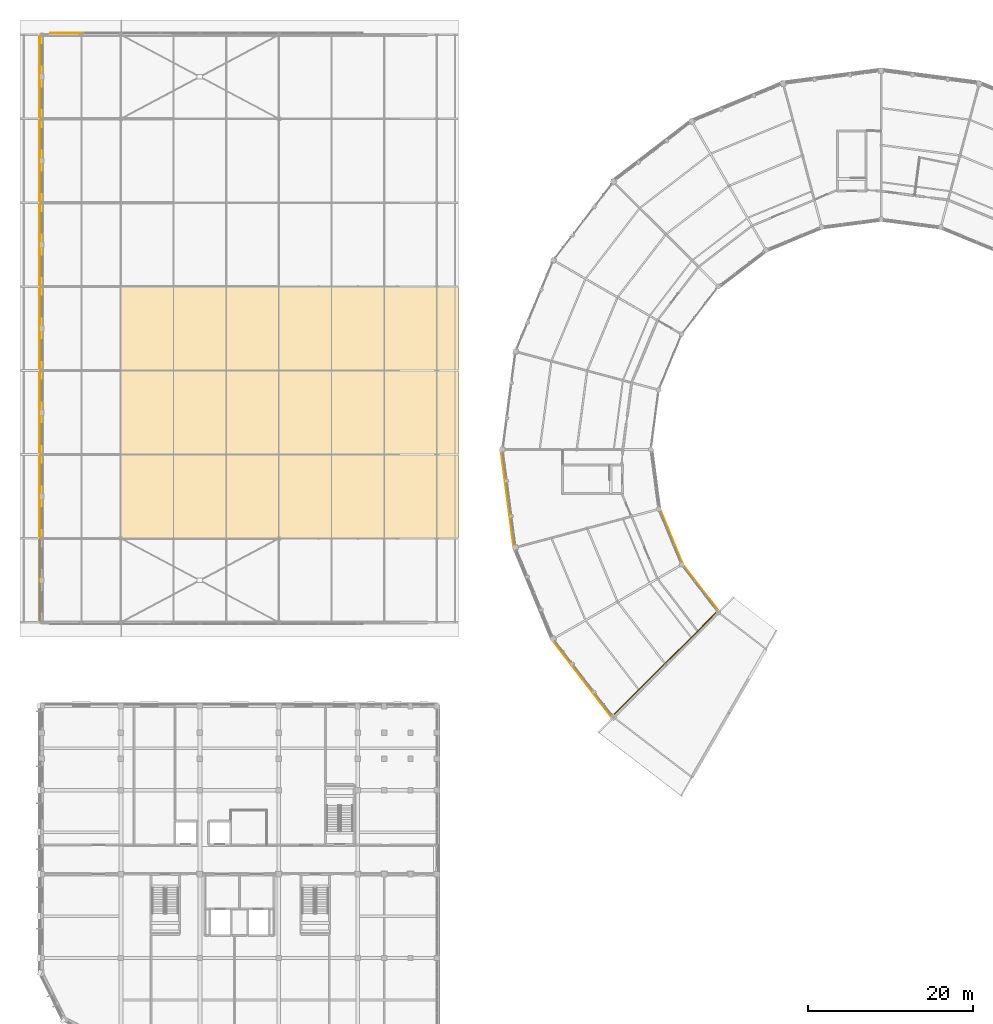
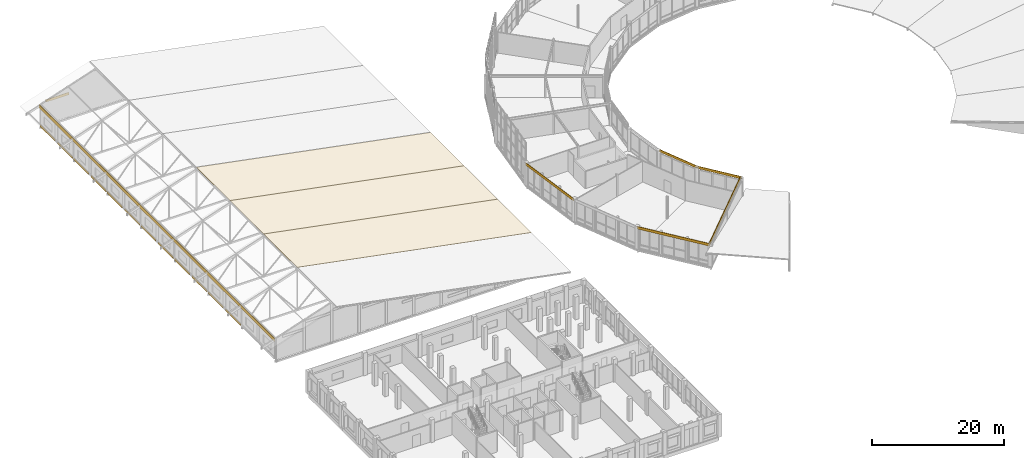
# One storey, part 194 of 200: 22 coverings.
"""IFC4 building model written with IfcOpenShell, lengths in metres."""

from ifc_helpers import new_model, si_unit, direction, frame, origin, origin_2d, place, context, subcontext, project, spatial, polyline, rectangle, outline, extrude, material, layer, layer_set, type_object, element, save


model = new_model("IFC4")

# Units and contexts
model_context = context("Model", 3, precision=1e-05, world=origin(), true_north=direction((0.0, 1.0)))
body_context = subcontext(model_context, "Body", "Model", "MODEL_VIEW")
ifc_project = project(units=[si_unit("LENGTHUNIT", "METRE"), si_unit("AREAUNIT", "SQUARE_METRE"), si_unit("VOLUMEUNIT", "CUBIC_METRE"), si_unit("PLANEANGLEUNIT", "RADIAN"), si_unit("MASSUNIT", "GRAM", prefix="KILO")], contexts=[model_context])

# Site, building, storey
site_placement = place(None, origin())
site = spatial("IfcSite", under=ifc_project, at=site_placement, CompositionType="ELEMENT")
building_placement = place(site_placement, origin())
building = spatial("IfcBuilding", under=site, at=building_placement, Name="Vondelvale Polytechnic", CompositionType="ELEMENT")
storey_placement = place(building_placement, frame((0.0, 0.0, 13.800048828125)))
storey = spatial("IfcBuildingStorey", under=building, at=storey_placement, Name="L03", CompositionType="ELEMENT", Elevation=13.800048828125)

# Coverings
ifc_material_1 = material(Name="Amsterdam School iron-spot clinker clay brickwork", Category="masonry")
ifc_layer_1 = layer(ifc_material_1, 0.090087890625)
ifc_layer_set_1 = layer_set([ifc_layer_1], Name="COV-BRICK-RELIEF")
covering_type_1 = type_object("IfcCoveringType", Name="COV-BRICK-RELIEF", PredefinedType="CLADDING", material=ifc_layer_set_1)
for number, where, z_axis, x_axis, name in (
    (1, (-0.2109375, 63.65673828125, 0.0), (0.0, 0.0, 1.0), (0.0, 1.0, 0.0), "L03 exterior corbelled masonry relief band"),
    (2, (-0.2109375, 68.943359375, 0.0), (0.0, 0.0, 1.0), (0.0, 1.0, 0.0), "L03 exterior corbelled masonry relief band"),
    (3, (-0.2109375, 73.856689453125, 0.0), (0.0, 0.0, 1.0), (0.0, 1.0, 0.0), "L03 exterior corbelled masonry relief band"),
    (4, (-0.2109375, 79.143310546875, 0.0), (0.0, 0.0, 1.0), (0.0, 1.0, 0.0), "L03 exterior corbelled masonry relief band"),
    (5, (-0.2109375, 84.056640625, 0.0), (0.0, 0.0, 1.0), (0.0, 1.0, 0.0), "L03 exterior corbelled masonry relief band"),
    (6, (-0.2109375, 89.34326171875, 0.0), (0.0, 0.0, 1.0), (0.0, 1.0, 0.0), "L03 exterior corbelled masonry relief band"),
    (7, (-0.2109375, 94.2568359375, 0.0), (0.0, 0.0, 1.0), (0.0, 1.0, 0.0), "L03 exterior corbelled masonry relief band"),
    (8, (-0.2109375, 99.543212890625, 0.0), (0.0, 0.0, 1.0), (0.0, 1.0, 0.0), "L03 exterior corbelled masonry relief band"),
    (9, (-0.2109375, 104.456787109375, 0.0), (0.0, 0.0, 1.0), (0.0, 1.0, 0.0), "L03 exterior corbelled masonry relief band"),
    (10, (-0.2109375, 109.7431640625, 0.0), (0.0, 0.0, 1.0), (0.0, 1.0, 0.0), "L03 exterior corbelled masonry relief band"),
    (11, (-0.2109375, 114.65673828125, 0.0), (0.0, 0.0, 1.0), (0.0, 1.0, 0.0), "L03 exterior corbelled masonry relief band"),
    (12, (-0.2109375, 119.943359375, 0.0), (0.0, 0.0, 1.0), (0.0, 1.0, 0.0), "L03 exterior corbelled masonry relief band"),
):
    element("IfcCovering", number, at=place(storey_placement, frame(where, z_axis=z_axis, x_axis=x_axis)), inside=storey, type_object=covering_type_1, Name=name, PredefinedType="CLADDING", context=body_context, shape_type="SweptSolid", body=[
        extrude(rectangle(XDim=4.5244140625, YDim=0.090087890625, at=origin_2d()), origin(), (0.0, 0.0, 1.0), 0.3798828125),
    ])
covering_1_placement = place(storey_placement, frame((-0.264892578125, 86.699951171875, 3.3798828125), z_axis=(0.0, 0.0, 1.0), x_axis=(0.0, 1.0, 0.0)))
element("IfcCovering", 13, at=covering_1_placement, inside=storey, type_object=covering_type_1, Name="L03 exterior masonry spandrel band", PredefinedType="CLADDING", context=body_context, shape_type="SweptSolid", body=[
    extrude(rectangle(XDim=71.39990234375, YDim=0.090087890625, at=origin_2d()), origin(), (0.0, 0.0, 1.0), 0.580078125),
])
covering_2_placement = place(storey_placement, frame((3.0, 122.614990234375, 3.8125), z_axis=(0.0, 0.0, 1.0), x_axis=(1.0, 0.0, 0.0)))
element("IfcCovering", 14, at=covering_2_placement, inside=storey, type_object=covering_type_1, Name="L03 stepped brick gable corbel N-1", PredefinedType="CLADDING", context=body_context, shape_type="SweptSolid", body=[
    extrude(rectangle(XDim=4.0, YDim=0.090087890625, at=origin_2d()), origin(), (0.0, 0.0, 1.0), 0.43994140625),
])
covering_3_placement = place(storey_placement, frame((75.706298828125, 45.968017578125, 3.64990234375), z_axis=(0.0, 0.0, 1.0), x_axis=(-0.707106781187, -0.707106781187, 0.0)))
element("IfcCovering", 15, at=covering_3_placement, inside=storey, type_object=covering_type_1, Name="L03 exterior masonry spandrel band", PredefinedType="CLADDING", context=body_context, shape_type="SweptSolid", body=[
    extrude(rectangle(XDim=18.0, YDim=0.090087890625, at=origin_2d()), origin(), (0.0, 0.0, 1.0), 0.590087890625),
])
ifc_material_2 = material(Name="Engineered Tasmanian oak studio and bridge joinery")
ifc_layer_2 = layer(ifc_material_2, 0.06494140625)
ifc_layer_set_2 = layer_set([ifc_layer_2], Name="COV-OAK-SPANDREL")
covering_type_2 = type_object("IfcCoveringType", Name="COV-OAK-SPANDREL", PredefinedType="CLADDING", material=ifc_layer_set_2)
covering_4_placement = place(storey_placement, frame((56.57470703125, 66.019775390625, 3.719970703125), z_axis=(0.0, 0.0, 1.0), x_axis=(0.13052619222, -0.991444861374, 0.0)))
element("IfcCovering", 16, at=covering_4_placement, inside=storey, type_object=covering_type_2, Name="L03 exterior masonry spandrel band", PredefinedType="CLADDING", context=body_context, shape_type="SweptSolid", body=[
    extrude(rectangle(XDim=12.00830078125, YDim=0.06494140625, at=origin_2d()), origin(), (0.0, 0.0, 1.0), 0.47998046875),
])
for number, where, z_axis, x_axis, name in (
    (17, (76.5107421875, 61.44189453125, 3.75), (0.0, 0.0, 1.0), (0.382683432365, -0.923879532511, 0.0), "L03 exterior masonry spandrel band"),
    (18, (80.11181640625, 55.20458984375, 3.75), (0.0, 0.0, 1.0), (0.608761429009, -0.793353340291, 0.0), "L03 exterior masonry spandrel band"),
):
    element("IfcCovering", number, at=place(storey_placement, frame(where, z_axis=z_axis, x_axis=x_axis)), inside=storey, type_object=covering_type_2, Name=name, PredefinedType="CLADDING", context=body_context, shape_type="SweptSolid", body=[
        extrude(rectangle(XDim=7.3095703125, YDim=0.06494140625, at=origin_2d()), origin(), (0.0, 0.0, 1.0), 0.449951171875),
    ])
covering_5_placement = place(storey_placement, frame((65.65087890625, 44.1083984375, 3.719970703125), z_axis=(0.0, 0.0, 1.0), x_axis=(0.608761429009, -0.793353340291, 0.0)))
element("IfcCovering", 19, at=covering_5_placement, inside=storey, type_object=covering_type_2, Name="L03 exterior masonry spandrel band", PredefinedType="CLADDING", context=body_context, shape_type="SweptSolid", body=[
    extrude(rectangle(XDim=12.00830078125, YDim=0.06494140625, at=origin_2d()), origin(), (0.0, 0.0, 1.0), 0.47998046875),
])
ifc_material_3 = material(Name="Dark zinc-bronze standing-seam insulated roof system")
ifc_layer_3 = layer(ifc_material_3, 0.0400390625)
ifc_layer_set_3 = layer_set([ifc_layer_3], Name="COV-ROOF-ZINC")
covering_type_3 = type_object("IfcCoveringType", Name="COV-ROOF-ZINC", PredefinedType="ROOFING", material=ifc_layer_set_3)
covering_6_placement = place(storey_placement, frame((9.60009765625, 61.199951171875, 7.429931640625), z_axis=(0.189222993838, 0.0, 0.981934141683), x_axis=(0.981934141683, 0.0, -0.189222993838)))
element("IfcCovering", 20, at=covering_6_placement, inside=storey, type_object=covering_type_3, Name="Workshop insulated zinc roof deck underlay bay 2", PredefinedType="ROOFING", context=body_context, shape_type="SweptSolid", body=[
    extrude(outline(polyline([(0.0, 0.0), (41.75432776960044, 0.0), (41.75432776960044, 10.199951171875), (0.0, 10.199951171875), (0.0, 0.0)])), origin(), (0.0, 0.0, -1.0), 0.034912109375),
])
covering_7_placement = place(storey_placement, frame((9.60009765625, 71.39990234375, 7.429931640625), z_axis=(0.189222993838, 0.0, 0.981934141683), x_axis=(0.981934141683, 0.0, -0.189222993838)))
element("IfcCovering", 21, at=covering_7_placement, inside=storey, type_object=covering_type_3, Name="Workshop insulated zinc roof deck underlay bay 3", PredefinedType="ROOFING", context=body_context, shape_type="SweptSolid", body=[
    extrude(outline(polyline([(0.0, 0.0), (41.75432776960044, 0.0), (41.75432776960044, 10.2001953125), (0.0, 10.2001953125), (0.0, 0.0)])), origin(), (0.0, 0.0, -1.0), 0.034912109375),
])
covering_8_placement = place(storey_placement, frame((9.60009765625, 81.60009765625, 7.429931640625), z_axis=(0.189222993838, 0.0, 0.981934141683), x_axis=(0.981934141683, 0.0, -0.189222993838)))
element("IfcCovering", 22, at=covering_8_placement, inside=storey, type_object=covering_type_3, Name="Workshop insulated zinc roof deck underlay bay 4", PredefinedType="ROOFING", context=body_context, shape_type="SweptSolid", body=[
    extrude(outline(polyline([(0.0, 0.0), (41.75432776960044, 0.0), (41.75432776960044, 10.199951171875), (0.0, 10.199951171875), (0.0, 0.0)])), origin(), (0.0, 0.0, -1.0), 0.034912109375),
])

save(model, "model.ifc")
